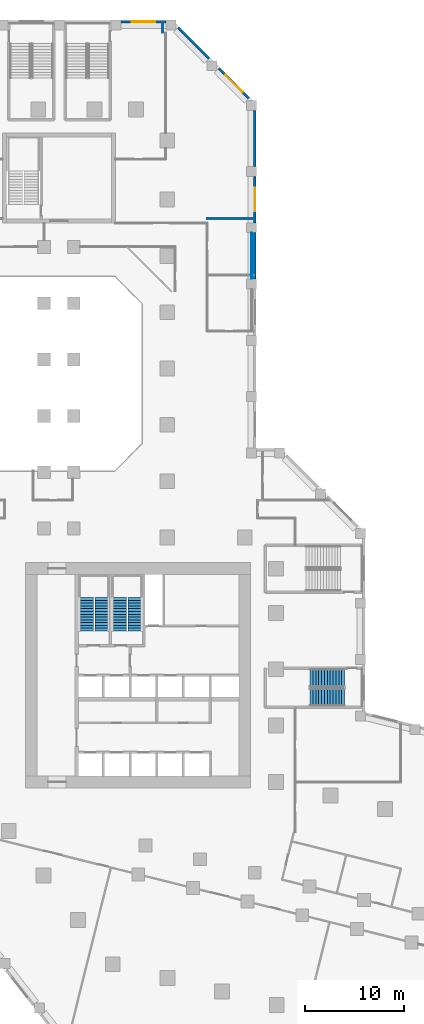
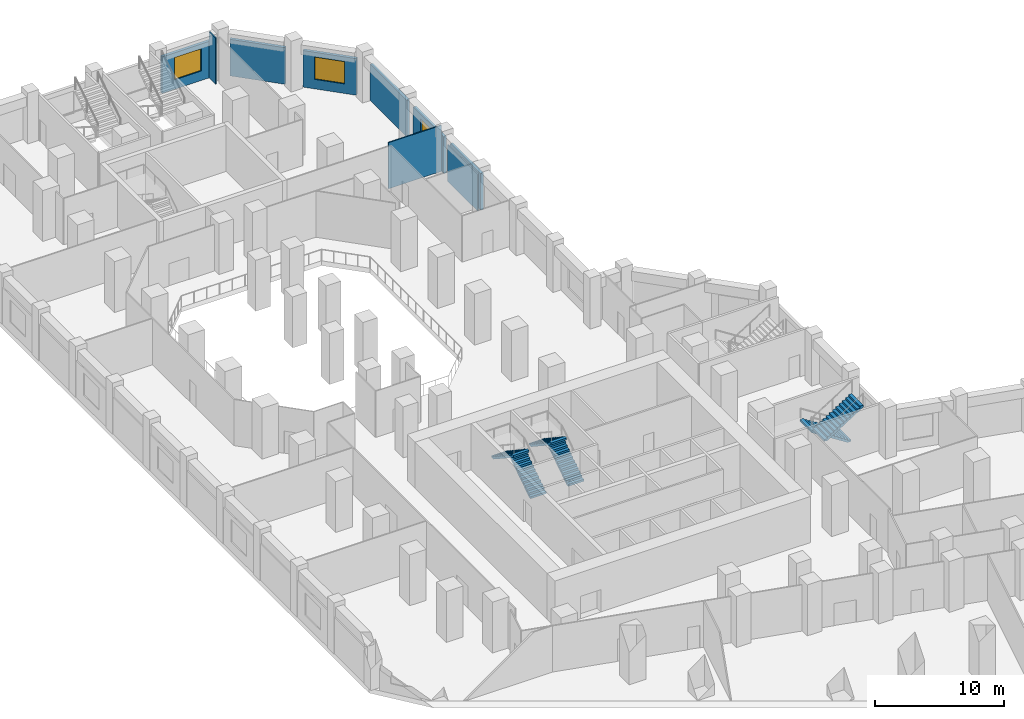
# One storey, part 10 of 16: 9 walls, 6 stair flights, 3 windows, 3 openings, 3 elements without a shape of their own.
"""IFC4 building model written with IfcOpenShell, lengths in metres."""

from ifc_helpers import new_model, si_unit, direction, frame, frame_2d, origin, place, context, subcontext, project, spatial, polyline, rectangle, outline, extrude, material, layer, layer_set, type_object, element, fill, aggregate, save


model = new_model("IFC4")

# Units and contexts
model_context = context("Model", 3, precision=1e-05, world=origin(), true_north=direction((0.0, 1.0)))
body_context = subcontext(model_context, "Body", "Model", "MODEL_VIEW")
ifc_project = project(units=[si_unit("LENGTHUNIT", "METRE"), si_unit("AREAUNIT", "SQUARE_METRE"), si_unit("VOLUMEUNIT", "CUBIC_METRE"), si_unit("PLANEANGLEUNIT", "RADIAN"), si_unit("MASSUNIT", "GRAM", prefix="KILO")], contexts=[model_context])

# Site, building, storey
site_placement = place(None, origin())
site = spatial("IfcSite", under=ifc_project, at=site_placement, CompositionType="ELEMENT")
building_placement = place(site_placement, origin())
building = spatial("IfcBuilding", under=site, at=building_placement, Name="Meshkara Civic Tower", CompositionType="ELEMENT")
storey_placement = place(building_placement, frame((0.0, 0.0, 18.60009765625)))
storey = spatial("IfcBuildingStorey", under=building, at=storey_placement, Name="L03", CompositionType="ELEMENT", Elevation=18.60009765625)

# Wall
ifc_material_1 = material(Name="Corridor wall 100")
ifc_layer_1 = layer(ifc_material_1, 0.10009765625)
ifc_layer_set_1 = layer_set([ifc_layer_1], Name="Corridor wall 100")
wall_type_1 = type_object("IfcWallType", Name="Corridor wall 100", PredefinedType="PARTITIONING", material=ifc_layer_set_1)
wall_1_placement = place(storey_placement, frame((21.89990234375, 90.52001953125, 0.0), z_axis=(0.0, 0.0, 1.0), x_axis=(0.0, 1.0, 0.0)))
element("IfcWall", 1, at=wall_1_placement, inside=storey, type_object=wall_type_1, Name="L03-R029", PredefinedType="PARTITIONING", context=body_context, shape_type="SweptSolid", body=[
    extrude(rectangle(XDim=1.0, YDim=0.10009765625, at=frame_2d((0.5, 0.0))), origin(), (0.0, 0.0, 1.0), 4.349853515625),
])

# Wall, opening, window
ifc_material_2 = material(Name="Stone cladding on insulated backing wall", Category="masonry")
ifc_layer_2 = layer(ifc_material_2, 0.25)
ifc_layer_set_2 = layer_set([ifc_layer_2], Name="PODIUM STONE WALL 250")
wall_type_2 = type_object("IfcWallType", Name="PODIUM STONE WALL 250", PredefinedType="SOLIDWALL", material=ifc_layer_set_2)
wall_2_placement = place(storey_placement, frame((30.6298828125, 83.885986328125, 0.0), z_axis=(0.0, 0.0, 1.0), x_axis=(-0.707078301545, 0.707135259681, 0.0)))
wall_2 = element("IfcWall", 2, at=wall_2_placement, inside=storey, type_object=wall_type_2, Name="Podium external wall", PredefinedType="SOLIDWALL", context=body_context, shape_type="SweptSolid", body=[
    extrude(rectangle(XDim=4.286376953125, YDim=0.25, at=frame_2d((2.14306640625, 0.0))), origin(), (0.0, 0.0, 1.0), 3.449951171875),
])
opening_1_placement = place(wall_2_placement, frame((0.943115234375, 0.0, 0.89990234375)))
opening_1 = element("IfcOpeningElement", 3, at=opening_1_placement, cuts=wall_2, Name="Opening PW10", PredefinedType="OPENING", context=body_context, shape_type="SweptSolid", body=[
    extrude(rectangle(XDim=2.39990234375, YDim=2.10009765625, at=frame_2d((1.199951171875, 1.050048828125))), frame((0.0, 0.135009765625, 0.0), z_axis=(0.0, -1.0, 0.0), x_axis=(1.0, 0.0, 0.0)), (0.0, 0.0, 1.0), 0.27001953125),
])
ifc_material_3 = material(Name="Tinted double glazing", Category="glass")
window_type = type_object("IfcWindowType", Name="PODIUM WINDOW 2400x2100", PartitioningType="DOUBLE_PANEL_VERTICAL", PredefinedType="WINDOW", material=ifc_material_3)
window_1_placement = place(opening_1_placement, origin())
window_1 = element("IfcWindow", 4, at=window_1_placement, inside=storey, type_object=window_type, Name="Podium window", OverallHeight=2.10009765625, OverallWidth=2.39990234375, PartitioningType="DOUBLE_PANEL_VERTICAL", PredefinedType="WINDOW", context=body_context, shape_type="SweptSolid", body=[
    extrude(rectangle(XDim=2.39990234375, YDim=2.10009765625, at=frame_2d((1.199951171875, 1.050048828125))), frame((0.0, 0.030029296875, 0.0), z_axis=(0.0, -1.0, 0.0), x_axis=(1.0, 0.0, 0.0)), (0.0, 0.0, 1.0), 0.06005859375),
])
fill(opening_1, window_1)

# Wall
wall_3_placement = place(storey_placement, frame((26.59912109375, 87.9169921875, 0.0), z_axis=(0.0, 0.0, 1.0), x_axis=(-0.707106781187, 0.707106781187, 0.0)))
element("IfcWall", 5, at=wall_3_placement, inside=storey, type_object=wall_type_2, Name="Podium external wall", PredefinedType="SOLIDWALL", context=body_context, shape_type="SweptSolid", body=[
    extrude(rectangle(XDim=4.430908203125, YDim=0.25, at=frame_2d((2.21533203125, 0.0))), origin(), (0.0, 0.0, 1.0), 3.449951171875),
])

# Wall, opening, window
wall_4_placement = place(storey_placement, frame((22.236083984375, 91.64501953125, 0.0), z_axis=(0.0, 0.0, 1.0), x_axis=(-1.0, 0.0, 0.0)))
wall_4 = element("IfcWall", 6, at=wall_4_placement, inside=storey, type_object=wall_type_2, Name="Podium external wall", PredefinedType="SOLIDWALL", context=body_context, shape_type="SweptSolid", body=[
    extrude(rectangle(XDim=4.572021484375, YDim=0.25, at=frame_2d((2.2861328125, 0.0))), origin(), (0.0, 0.0, 1.0), 3.449951171875),
])
opening_2_placement = place(wall_4_placement, frame((1.0859375, 0.0, 0.89990234375)))
opening_2 = element("IfcOpeningElement", 7, at=opening_2_placement, cuts=wall_4, Name="Opening PW10", PredefinedType="OPENING", context=body_context, shape_type="SweptSolid", body=[
    extrude(rectangle(XDim=2.39990234375, YDim=2.10009765625, at=frame_2d((1.199951171875, 1.050048828125))), frame((0.0, 0.135009765625, 0.0), z_axis=(0.0, -1.0, 0.0), x_axis=(1.0, 0.0, 0.0)), (0.0, 0.0, 1.0), 0.27001953125),
])
window_2_placement = place(opening_2_placement, origin())
window_2 = element("IfcWindow", 8, at=window_2_placement, inside=storey, type_object=window_type, Name="Podium window", OverallHeight=2.10009765625, OverallWidth=2.39990234375, PartitioningType="DOUBLE_PANEL_VERTICAL", PredefinedType="WINDOW", context=body_context, shape_type="SweptSolid", body=[
    extrude(rectangle(XDim=2.39990234375, YDim=2.10009765625, at=frame_2d((1.199951171875, 1.050048828125))), frame((0.0, 0.030029296875, 0.0), z_axis=(0.0, -1.0, 0.0), x_axis=(1.0, 0.0, 0.0)), (0.0, 0.0, 1.0), 0.06005859375),
])
fill(opening_2, window_2)

# Wall
wall_5_placement = place(storey_placement, frame((31.22509765625, 65.60009765625, 0.0), z_axis=(0.0, 0.0, 1.0), x_axis=(0.0, 1.0, 0.0)))
element("IfcWall", 9, at=wall_5_placement, inside=storey, type_object=wall_type_2, Name="Podium external wall", PredefinedType="SOLIDWALL", context=body_context, shape_type="SweptSolid", body=[
    extrude(rectangle(XDim=4.699951171875, YDim=0.25, at=frame_2d((2.35009765625, 0.0))), origin(), (0.0, 0.0, 1.0), 3.449951171875),
])

# Wall, opening, window
wall_6_placement = place(storey_placement, frame((31.22509765625, 71.300048828125, 0.0), z_axis=(0.0, 0.0, 1.0), x_axis=(0.0, 1.0, 0.0)))
wall_6 = element("IfcWall", 10, at=wall_6_placement, inside=storey, type_object=wall_type_2, Name="Podium external wall", PredefinedType="SOLIDWALL", context=body_context, shape_type="SweptSolid", body=[
    extrude(rectangle(XDim=4.699951171875, YDim=0.25, at=frame_2d((2.35009765625, 0.0))), origin(), (0.0, 0.0, 1.0), 3.449951171875),
])
opening_3_placement = place(wall_6_placement, frame((1.14990234375, 0.0, 0.89990234375)))
opening_3 = element("IfcOpeningElement", 11, at=opening_3_placement, cuts=wall_6, Name="Opening PW10", PredefinedType="OPENING", context=body_context, shape_type="SweptSolid", body=[
    extrude(rectangle(XDim=2.39990234375, YDim=2.10009765625, at=frame_2d((1.199951171875, 1.050048828125))), frame((0.0, 0.135009765625, 0.0), z_axis=(0.0, -1.0, 0.0), x_axis=(1.0, 0.0, 0.0)), (0.0, 0.0, 1.0), 0.27001953125),
])
window_3_placement = place(opening_3_placement, origin())
window_3 = element("IfcWindow", 12, at=window_3_placement, inside=storey, type_object=window_type, Name="Podium window", OverallHeight=2.10009765625, OverallWidth=2.39990234375, PartitioningType="DOUBLE_PANEL_VERTICAL", PredefinedType="WINDOW", context=body_context, shape_type="SweptSolid", body=[
    extrude(rectangle(XDim=2.39990234375, YDim=2.10009765625, at=frame_2d((1.199951171875, 1.050048828125))), frame((0.0, 0.030029296875, 0.0), z_axis=(0.0, -1.0, 0.0), x_axis=(1.0, 0.0, 0.0)), (0.0, 0.0, 1.0), 0.06005859375),
])
fill(opening_3, window_3)

# Walls
wall_7_placement = place(storey_placement, frame((31.22509765625, 77.0, 0.0), z_axis=(0.0, 0.0, 1.0), x_axis=(0.0, 1.0, 0.0)))
element("IfcWall", 13, at=wall_7_placement, inside=storey, type_object=wall_type_2, Name="Podium external wall", PredefinedType="SOLIDWALL", context=body_context, shape_type="SweptSolid", body=[
    extrude(rectangle(XDim=5.656005859375, YDim=0.25, at=frame_2d((2.828125, 0.0))), origin(), (0.0, 0.0, 1.0), 3.449951171875),
])
ifc_material_4 = material(Name="Partition 100")
ifc_layer_3 = layer(ifc_material_4, 0.10009765625)
ifc_layer_set_3 = layer_set([ifc_layer_3], Name="Partition 100")
wall_type_3 = type_object("IfcWallType", Name="Partition 100", PredefinedType="PARTITIONING", material=ifc_layer_set_3)
wall_8_placement = place(storey_placement, frame((26.39990234375, 71.699951171875, 0.0), z_axis=(0.0, 0.0, 1.0), x_axis=(1.0, 0.0, 0.0)))
element("IfcWall", 14, at=wall_8_placement, inside=storey, type_object=wall_type_3, Name="L03-R088", PredefinedType="PARTITIONING", context=body_context, shape_type="SweptSolid", body=[
    extrude(rectangle(XDim=4.7001953125, YDim=0.10009765625, at=frame_2d((2.35009765625, 0.0))), origin(), (0.0, 0.0, 1.0), 4.349853515625),
])
wall_9_placement = place(storey_placement, frame((30.89990234375, 70.280029296875, 0.0), z_axis=(0.0, 0.0, 1.0), x_axis=(0.0, -1.0, 0.0)))
element("IfcWall", 15, at=wall_9_placement, inside=storey, type_object=wall_type_3, Name="L03-R091", PredefinedType="PARTITIONING", context=body_context, shape_type="SweptSolid", body=[
    extrude(rectangle(XDim=4.659912109375, YDim=0.10009765625, at=frame_2d((2.330078125, 0.0))), origin(), (0.0, 0.0, 1.0), 3.449951171875),
])

# Stair, stair flights
ifc_material_5 = material(Name="Precast concrete C40/50", Category="concrete")
stair_type_1 = type_object("IfcStairType", Name="Exit stair half-turn 26 risers precast", PredefinedType="HALF_TURN_STAIR", material=ifc_material_5)
stair_1_placement = place(storey_placement, origin())
stair_1 = element("IfcStair", 16, at=stair_1_placement, inside=storey, type_object=stair_type_1, Name="L03 exit stair 1", PredefinedType="HALF_TURN_STAIR")
ifc_material_6 = material(Name="Precast concrete C40/50", Category="concrete")
stair_flight_type_1 = type_object("IfcStairFlightType", Name="Exit stair flight 13 risers precast", PredefinedType="STRAIGHT", material=ifc_material_6)
stair_flight_1_placement = place(storey_placement, frame((15.72509765625, 30.0, 0.0), z_axis=(0.0, 0.0, 1.0), x_axis=(0.0, 1.0, 0.0)))
stair_flight_1 = element("IfcStairFlight", 17, at=stair_flight_1_placement, type_object=stair_flight_type_1, Name="ST1 flight 1", NumberOfRisers=13, NumberOfTreads=12, PredefinedType="STRAIGHT", RiserHeight=0.184615385, TreadLength=0.28, context=body_context, shape_type="SweptSolid", body=[
    extrude(outline(polyline([(0.0, 0.0), (0.0, 0.1845703125), (0.280029296875, 0.1845703125), (0.280029296875, 0.369140625), (0.56005859375, 0.369140625), (0.56005859375, 0.553955078125), (0.840087890625, 0.553955078125), (0.840087890625, 0.738525390625), (1.1201171875, 0.738525390625), (1.1201171875, 0.923095703125), (1.39990234375, 0.923095703125), (1.39990234375, 1.107666015625), (1.679931640625, 1.107666015625), (1.679931640625, 1.292236328125), (1.9599609375, 1.292236328125), (1.9599609375, 1.476806640625), (2.239990234375, 1.476806640625), (2.239990234375, 1.66162109375), (2.52001953125, 1.66162109375), (2.52001953125, 1.84619140625), (2.800048828125, 1.84619140625), (2.800048828125, 2.03076171875), (3.080078125, 2.03076171875), (3.080078125, 2.21533203125), (3.360107421875, 2.21533203125), (3.360107421875, 2.39990234375), (3.360107421875, 2.035888671875), (0.272216796875, 0.0), (0.0, 0.0)])), frame((0.0, 0.699951171875, 0.0), z_axis=(0.0, -1.0, 0.0), x_axis=(1.0, 0.0, 0.0)), (0.0, 0.0, 1.0), 1.39990234375),
])
stair_flight_2_placement = place(storey_placement, frame((14.175048828125, 33.360107421875, 2.39990234375), z_axis=(0.0, 0.0, 1.0), x_axis=(0.0, -1.0, 0.0)))
stair_flight_2 = element("IfcStairFlight", 18, at=stair_flight_2_placement, type_object=stair_flight_type_1, Name="ST1 flight 2", NumberOfRisers=13, NumberOfTreads=12, PredefinedType="STRAIGHT", RiserHeight=0.184615385, TreadLength=0.28, context=body_context, shape_type="SweptSolid", body=[
    extrude(outline(polyline([(0.0, 0.0), (0.0, 0.1845703125), (0.280029296875, 0.1845703125), (0.280029296875, 0.369140625), (0.56005859375, 0.369140625), (0.56005859375, 0.553955078125), (0.840087890625, 0.553955078125), (0.840087890625, 0.738525390625), (1.1201171875, 0.738525390625), (1.1201171875, 0.923095703125), (1.39990234375, 0.923095703125), (1.39990234375, 1.107666015625), (1.679931640625, 1.107666015625), (1.679931640625, 1.292236328125), (1.9599609375, 1.292236328125), (1.9599609375, 1.476806640625), (2.239990234375, 1.476806640625), (2.239990234375, 1.66162109375), (2.52001953125, 1.66162109375), (2.52001953125, 1.84619140625), (2.800048828125, 1.84619140625), (2.800048828125, 2.03076171875), (3.080078125, 2.03076171875), (3.080078125, 2.21533203125), (3.360107421875, 2.21533203125), (3.360107421875, 2.39990234375), (3.360107421875, 2.035888671875), (0.272216796875, 0.0), (0.0, 0.0)])), frame((0.0, 0.699951171875, 0.0), z_axis=(0.0, -1.0, 0.0), x_axis=(1.0, 0.0, 0.0)), (0.0, 0.0, 1.0), 1.39990234375),
])
aggregate(stair_1, [stair_flight_1, stair_flight_2])

stair_2_placement = place(storey_placement, origin())
stair_2 = element("IfcStair", 19, at=stair_2_placement, inside=storey, type_object=stair_type_1, Name="L03 exit stair 2", PredefinedType="HALF_TURN_STAIR")
stair_flight_3_placement = place(storey_placement, frame((19.074951171875, 30.0, 0.0), z_axis=(0.0, 0.0, 1.0), x_axis=(0.0, 1.0, 0.0)))
stair_flight_3 = element("IfcStairFlight", 20, at=stair_flight_3_placement, type_object=stair_flight_type_1, Name="ST2 flight 1", NumberOfRisers=13, NumberOfTreads=12, PredefinedType="STRAIGHT", RiserHeight=0.184615385, TreadLength=0.28, context=body_context, shape_type="SweptSolid", body=[
    extrude(outline(polyline([(0.0, 0.0), (0.0, 0.1845703125), (0.280029296875, 0.1845703125), (0.280029296875, 0.369140625), (0.56005859375, 0.369140625), (0.56005859375, 0.553955078125), (0.840087890625, 0.553955078125), (0.840087890625, 0.738525390625), (1.1201171875, 0.738525390625), (1.1201171875, 0.923095703125), (1.39990234375, 0.923095703125), (1.39990234375, 1.107666015625), (1.679931640625, 1.107666015625), (1.679931640625, 1.292236328125), (1.9599609375, 1.292236328125), (1.9599609375, 1.476806640625), (2.239990234375, 1.476806640625), (2.239990234375, 1.66162109375), (2.52001953125, 1.66162109375), (2.52001953125, 1.84619140625), (2.800048828125, 1.84619140625), (2.800048828125, 2.03076171875), (3.080078125, 2.03076171875), (3.080078125, 2.21533203125), (3.360107421875, 2.21533203125), (3.360107421875, 2.39990234375), (3.360107421875, 2.035888671875), (0.272216796875, 0.0), (0.0, 0.0)])), frame((0.0, 0.699951171875, 0.0), z_axis=(0.0, -1.0, 0.0), x_axis=(1.0, 0.0, 0.0)), (0.0, 0.0, 1.0), 1.39990234375),
])
stair_flight_4_placement = place(storey_placement, frame((17.52490234375, 33.360107421875, 2.39990234375), z_axis=(0.0, 0.0, 1.0), x_axis=(0.0, -1.0, 0.0)))
stair_flight_4 = element("IfcStairFlight", 21, at=stair_flight_4_placement, type_object=stair_flight_type_1, Name="ST2 flight 2", NumberOfRisers=13, NumberOfTreads=12, PredefinedType="STRAIGHT", RiserHeight=0.184615385, TreadLength=0.28, context=body_context, shape_type="SweptSolid", body=[
    extrude(outline(polyline([(0.0, 0.0), (0.0, 0.1845703125), (0.280029296875, 0.1845703125), (0.280029296875, 0.369140625), (0.56005859375, 0.369140625), (0.56005859375, 0.553955078125), (0.840087890625, 0.553955078125), (0.840087890625, 0.738525390625), (1.1201171875, 0.738525390625), (1.1201171875, 0.923095703125), (1.39990234375, 0.923095703125), (1.39990234375, 1.107666015625), (1.679931640625, 1.107666015625), (1.679931640625, 1.292236328125), (1.9599609375, 1.292236328125), (1.9599609375, 1.476806640625), (2.239990234375, 1.476806640625), (2.239990234375, 1.66162109375), (2.52001953125, 1.66162109375), (2.52001953125, 1.84619140625), (2.800048828125, 1.84619140625), (2.800048828125, 2.03076171875), (3.080078125, 2.03076171875), (3.080078125, 2.21533203125), (3.360107421875, 2.21533203125), (3.360107421875, 2.39990234375), (3.360107421875, 2.035888671875), (0.272216796875, 0.0), (0.0, 0.0)])), frame((0.0, 0.699951171875, 0.0), z_axis=(0.0, -1.0, 0.0), x_axis=(1.0, 0.0, 0.0)), (0.0, 0.0, 1.0), 1.39990234375),
])
aggregate(stair_2, [stair_flight_3, stair_flight_4])

ifc_material_7 = material(Name="Precast concrete C40/50", Category="concrete")
stair_type_2 = type_object("IfcStairType", Name="Podium exit stair half-turn 26 risers 1800 wide precast", PredefinedType="HALF_TURN_STAIR", material=ifc_material_7)
stair_3_placement = place(storey_placement, origin())
stair_3 = element("IfcStair", 22, at=stair_3_placement, inside=storey, type_object=stair_type_2, Name="L03 podium exit stair PS5", PredefinedType="HALF_TURN_STAIR")
ifc_material_8 = material(Name="Precast concrete C40/50", Category="concrete")
stair_flight_type_2 = type_object("IfcStairFlightType", Name="Podium exit stair flight 13 risers 1800 wide precast", PredefinedType="STRAIGHT", material=ifc_material_8)
stair_flight_5_placement = place(storey_placement, frame((40.300048828125, 25.22509765625, 0.0), z_axis=(0.0, 0.0, 1.0), x_axis=(-1.0, 0.0, 0.0)))
stair_flight_5 = element("IfcStairFlight", 23, at=stair_flight_5_placement, type_object=stair_flight_type_2, Name="PS5 flight 1", NumberOfRisers=13, NumberOfTreads=12, PredefinedType="STRAIGHT", RiserHeight=0.184615385, TreadLength=0.29, context=body_context, shape_type="SweptSolid", body=[
    extrude(outline(polyline([(0.0, 0.0), (0.0, 0.1845703125), (0.2900390625, 0.1845703125), (0.2900390625, 0.369140625), (0.580078125, 0.369140625), (0.580078125, 0.553955078125), (0.8701171875, 0.553955078125), (0.8701171875, 0.738525390625), (1.159912109375, 0.738525390625), (1.159912109375, 0.923095703125), (1.449951171875, 0.923095703125), (1.449951171875, 1.107666015625), (1.739990234375, 1.107666015625), (1.739990234375, 1.292236328125), (2.030029296875, 1.292236328125), (2.030029296875, 1.476806640625), (2.320068359375, 1.476806640625), (2.320068359375, 1.66162109375), (2.610107421875, 1.66162109375), (2.610107421875, 1.84619140625), (2.89990234375, 1.84619140625), (2.89990234375, 2.03076171875), (3.18994140625, 2.03076171875), (3.18994140625, 2.21533203125), (3.47998046875, 2.21533203125), (3.47998046875, 2.39990234375), (3.47998046875, 2.03759765625), (0.279052734375, 0.0), (0.0, 0.0)])), frame((0.0, 0.89990234375, 0.0), z_axis=(0.0, -1.0, 0.0), x_axis=(1.0, 0.0, 0.0)), (0.0, 0.0, 1.0), 1.800048828125),
])
stair_flight_6_placement = place(storey_placement, frame((36.820068359375, 23.27490234375, 2.39990234375), z_axis=(0.0, 0.0, 1.0), x_axis=(1.0, 0.0, 0.0)))
stair_flight_6 = element("IfcStairFlight", 24, at=stair_flight_6_placement, type_object=stair_flight_type_2, Name="PS5 flight 2", NumberOfRisers=13, NumberOfTreads=12, PredefinedType="STRAIGHT", RiserHeight=0.184615385, TreadLength=0.29, context=body_context, shape_type="SweptSolid", body=[
    extrude(outline(polyline([(0.0, 0.0), (0.0, 0.1845703125), (0.2900390625, 0.1845703125), (0.2900390625, 0.369140625), (0.580078125, 0.369140625), (0.580078125, 0.553955078125), (0.8701171875, 0.553955078125), (0.8701171875, 0.738525390625), (1.159912109375, 0.738525390625), (1.159912109375, 0.923095703125), (1.449951171875, 0.923095703125), (1.449951171875, 1.107666015625), (1.739990234375, 1.107666015625), (1.739990234375, 1.292236328125), (2.030029296875, 1.292236328125), (2.030029296875, 1.476806640625), (2.320068359375, 1.476806640625), (2.320068359375, 1.66162109375), (2.610107421875, 1.66162109375), (2.610107421875, 1.84619140625), (2.89990234375, 1.84619140625), (2.89990234375, 2.03076171875), (3.18994140625, 2.03076171875), (3.18994140625, 2.21533203125), (3.47998046875, 2.21533203125), (3.47998046875, 2.39990234375), (3.47998046875, 2.03759765625), (0.279052734375, 0.0), (0.0, 0.0)])), frame((0.0, 0.89990234375, 0.0), z_axis=(0.0, -1.0, 0.0), x_axis=(1.0, 0.0, 0.0)), (0.0, 0.0, 1.0), 1.800048828125),
])
aggregate(stair_3, [stair_flight_5, stair_flight_6])

save(model, "model.ifc")
